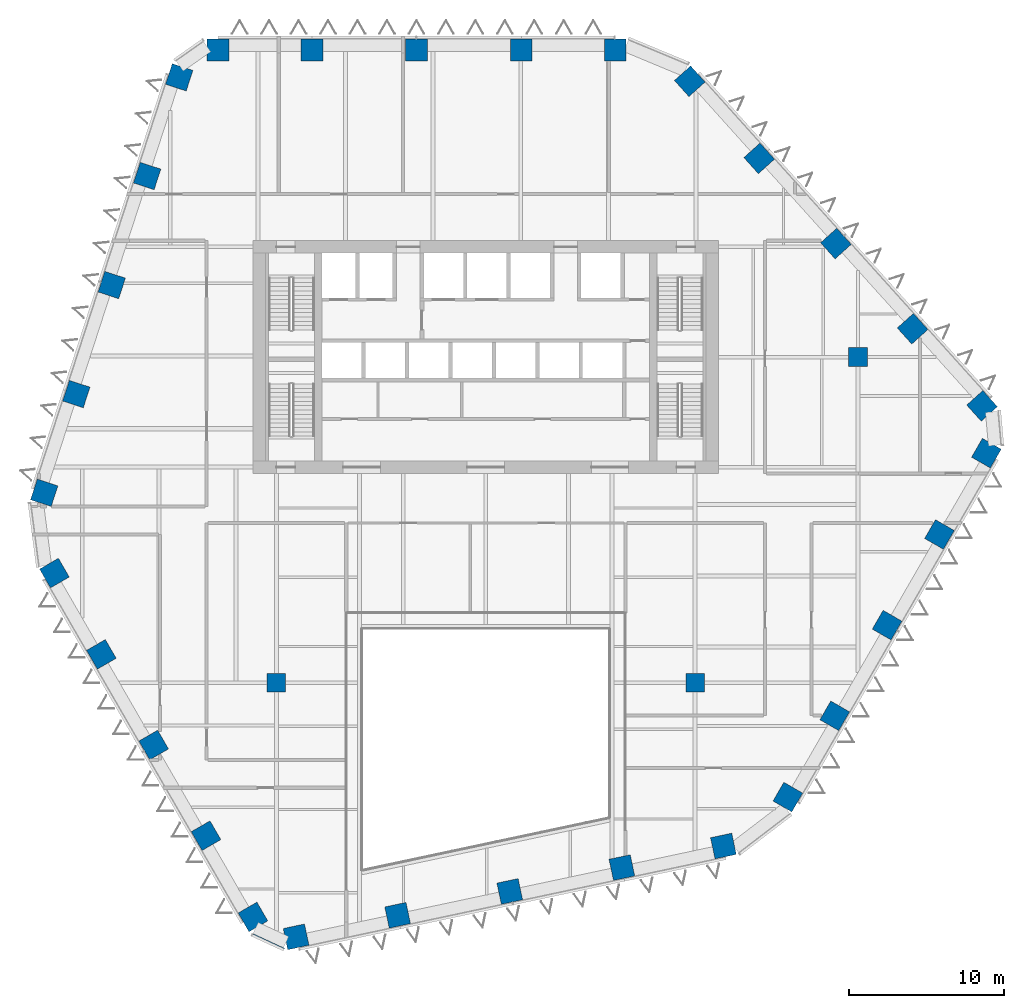
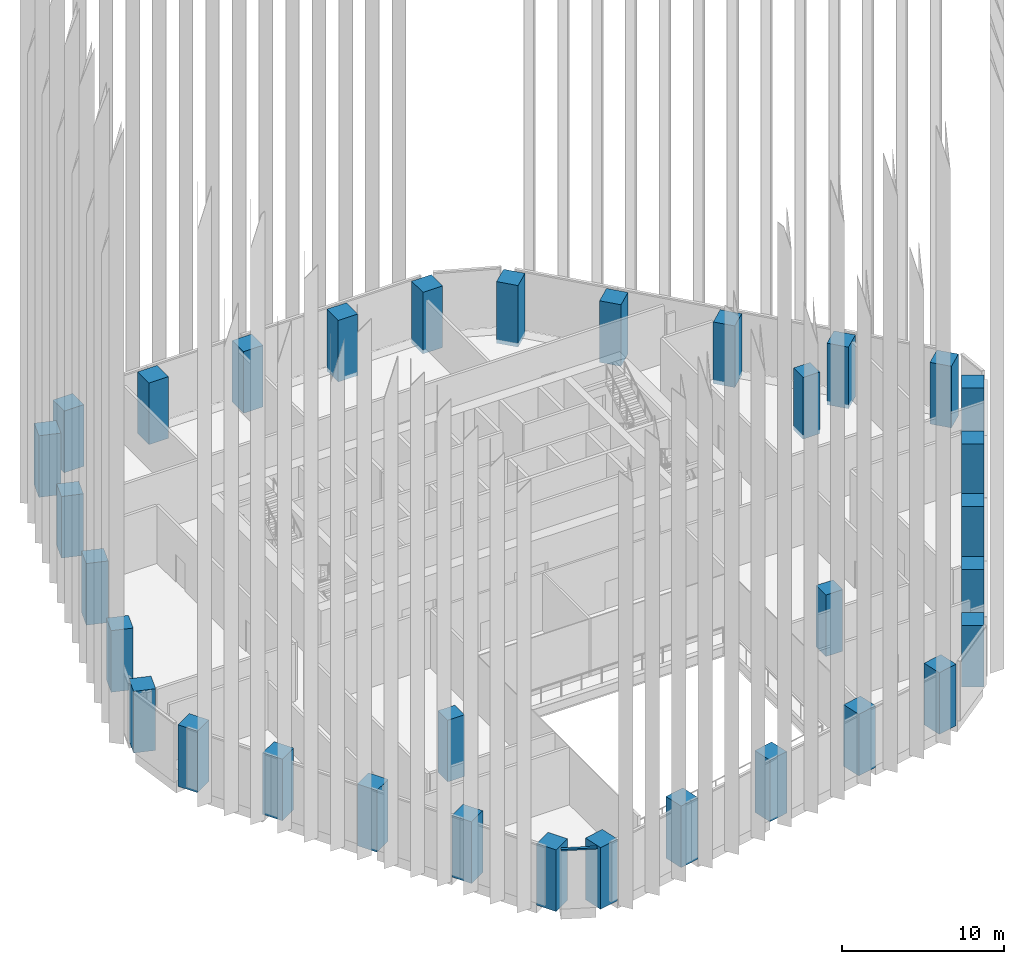
# One storey, part 1 of 18: 33 columns, 1 member, 1 element without a shape of its own.
"""IFC4 building model written with IfcOpenShell, lengths in metres."""

from ifc_helpers import new_model, si_unit, direction, frame, origin, origin_2d, place, context, subcontext, project, spatial, rectangle, extrude, material, layer, layer_set, material_profile, profile_set, type_object, element, aggregate, save


model = new_model("IFC4")

# Units and contexts
model_context = context("Model", 3, precision=1e-05, world=origin(), true_north=direction((0.0, 1.0)))
body_context = subcontext(model_context, "Body", "Model", "MODEL_VIEW")
ifc_project = project(units=[si_unit("LENGTHUNIT", "METRE"), si_unit("AREAUNIT", "SQUARE_METRE"), si_unit("VOLUMEUNIT", "CUBIC_METRE"), si_unit("PLANEANGLEUNIT", "RADIAN"), si_unit("MASSUNIT", "GRAM", prefix="KILO")], contexts=[model_context])

# Site, building, storey
site_placement = place(None, origin())
site = spatial("IfcSite", under=ifc_project, at=site_placement, CompositionType="ELEMENT")
building_placement = place(site_placement, origin())
building = spatial("IfcBuilding", under=site, at=building_placement, Name="Isthmus Gate Tower", CompositionType="ELEMENT")
storey_placement = place(building_placement, frame((0.0, 0.0, 166.300048828125)))
storey = spatial("IfcBuildingStorey", under=building, at=storey_placement, Name="L41", CompositionType="ELEMENT", Elevation=166.300048828125)

# Columns
ifc_material_1 = material(Name="Concrete f'c 60 MPa", Category="concrete")
ifc_material_profile_1 = material_profile(ifc_material_1, rectangle(XDim=1.199951171875, YDim=1.199951171875, at=origin_2d()), Name="RC 1200X1200")
ifc_profile_set_1 = profile_set([ifc_material_profile_1], Name="Concrete f'c 60 MPa")
column_type_1 = type_object("IfcColumnType", Name="RC INTERIOR COLUMN 1200 X 1200", PredefinedType="COLUMN", material=ifc_profile_set_1)
for number, where, z_axis, x_axis, name in (
    (1, (-13.5, -13.5, -0.300048828125), (0.0, 0.0, 1.0), (1.0, 0.0, 0.0), "str-icol-L41-ICB2"),
    (2, (13.5, -13.5, -0.300048828125), (0.0, 0.0, 1.0), (1.0, 0.0, 0.0), "str-icol-L41-ICD2"),
    (3, (24.0, 7.5, -0.300048828125), (0.0, 0.0, 1.0), (1.0, 0.0, 0.0), "str-icol-L41-ICE3"),
):
    element("IfcColumn", number, at=place(storey_placement, frame(where, z_axis=z_axis, x_axis=x_axis)), inside=storey, type_object=column_type_1, Name=name, PredefinedType="COLUMN", context=body_context, shape_type="SweptSolid", body=[
        extrude(rectangle(XDim=1.199951171875, YDim=1.199951171875, at=origin_2d()), origin(), (0.0, 0.0, 1.0), 4.64990234375),
    ])
ifc_material_2 = material(Name="Concrete f'c 60 MPa", Category="concrete")
ifc_material_profile_2 = material_profile(ifc_material_2, rectangle(XDim=1.39990234375, YDim=1.39990234375, at=origin_2d()), Name="RC 1400X1400")
ifc_profile_set_2 = profile_set([ifc_material_profile_2], Name="Concrete f'c 60 MPa")
column_type_2 = type_object("IfcColumnType", Name="RC TUBE COLUMN 1400 X 1400", PredefinedType="COLUMN", material=ifc_profile_set_2)
for number, where, z_axis, x_axis, name in (
    (4, (8.338623046875, 27.300048828125, -0.300048828125), (0.0, 0.0, 1.0), (-1.0, 0.0, 0.0), "str-tcol-L41-T2N0"),
    (5, (2.288330078125, 27.300048828125, -0.300048828125), (0.0, 0.0, 1.0), (-1.0, 0.0, 0.0), "str-tcol-L41-T2N1"),
    (6, (-4.461669921875, 27.300048828125, -0.300048828125), (0.0, 0.0, 1.0), (-1.0, 0.0, 0.0), "str-tcol-L41-T2N2"),
    (7, (-11.2119140625, 27.300048828125, -0.300048828125), (0.0, 0.0, 1.0), (-1.0, 0.0, 0.0), "str-tcol-L41-T2N3"),
    (8, (-17.261962890625, 27.300048828125, -0.300048828125), (0.0, 0.0, 1.0), (-1.0, 0.0, 0.0), "str-tcol-L41-T2N4"),
    (9, (-19.765380859375, 25.532958984375, -0.300048828125), (0.0, 0.0, 1.0), (-0.309016994375, -0.951056516295, 0.0), "str-tcol-L41-T2NW0"),
    (10, (-21.8330078125, 19.169677734375, -0.300048828125), (0.0, 0.0, 1.0), (-0.309016994375, -0.951056516295, 0.0), "str-tcol-L41-T2NW1"),
    (11, (-24.116943359375, 12.140625, -0.300048828125), (0.0, 0.0, 1.0), (-0.309016994375, -0.951056516295, 0.0), "str-tcol-L41-T2NW2"),
    (12, (-26.400634765625, 5.111328125, -0.300048828125), (0.0, 0.0, 1.0), (-0.309016994375, -0.951056516295, 0.0), "str-tcol-L41-T2NW3"),
    (13, (-28.46826171875, -1.251953125, -0.300048828125), (0.0, 0.0, 1.0), (-0.309016994375, -0.951056516295, 0.0), "str-tcol-L41-T2NW4"),
    (14, (-27.811767578125, -6.4287109375, -0.300048828125), (0.0, 0.0, 1.0), (0.5, -0.866025403784, 0.0), "str-tcol-L41-T2SW0"),
    (15, (-24.78662109375, -11.668212890625, -0.300048828125), (0.0, 0.0, 1.0), (0.5, -0.866025403784, 0.0), "str-tcol-L41-T2SW1"),
    (16, (-21.41162109375, -17.513916015625, -0.300048828125), (0.0, 0.0, 1.0), (0.5, -0.866025403784, 0.0), "str-tcol-L41-T2SW2"),
    (17, (-18.03662109375, -23.359619140625, -0.300048828125), (0.0, 0.0, 1.0), (0.5, -0.866025403784, 0.0), "str-tcol-L41-T2SW3"),
    (18, (-15.011474609375, -28.599365234375, -0.300048828125), (0.0, 0.0, 1.0), (0.5, -0.866025403784, 0.0), "str-tcol-L41-T2SW4"),
    (19, (-12.2294921875, -29.8837890625, -0.300048828125), (0.0, 0.0, 1.0), (0.978147600734, 0.207911690818, 0.0), "str-tcol-L41-T2S0"),
    (20, (-5.684814453125, -28.49267578125, -0.300048828125), (0.0, 0.0, 1.0), (0.978147600734, 0.207911690818, 0.0), "str-tcol-L41-T2S1"),
    (21, (1.54443359375, -26.9560546875, -0.300048828125), (0.0, 0.0, 1.0), (0.978147600734, 0.207911690818, 0.0), "str-tcol-L41-T2S2"),
    (22, (8.773681640625, -25.41943359375, -0.300048828125), (0.0, 0.0, 1.0), (0.978147600734, 0.207911690818, 0.0), "str-tcol-L41-T2S3"),
    (23, (15.318359375, -24.0283203125, -0.300048828125), (0.0, 0.0, 1.0), (0.978147600734, 0.207911690818, 0.0), "str-tcol-L41-T2S4"),
    (24, (19.47314453125, -20.871337890625, -0.300048828125), (0.0, 0.0, 1.0), (0.5, 0.866025403784, 0.0), "str-tcol-L41-T2SE0"),
    (25, (22.498291015625, -15.6318359375, -0.300048828125), (0.0, 0.0, 1.0), (0.5, 0.866025403784, 0.0), "str-tcol-L41-T2SE1"),
    (26, (25.873291015625, -9.7861328125, -0.300048828125), (0.0, 0.0, 1.0), (0.5, 0.866025403784, 0.0), "str-tcol-L41-T2SE2"),
    (27, (29.248291015625, -3.940185546875, -0.300048828125), (0.0, 0.0, 1.0), (0.5, 0.866025403784, 0.0), "str-tcol-L41-T2SE3"),
    (28, (32.2734375, 1.29931640625, -0.300048828125), (0.0, 0.0, 1.0), (0.5, 0.866025403784, 0.0), "str-tcol-L41-T2SE4"),
    (29, (31.994873046875, 4.350830078125, -0.300048828125), (0.0, 0.0, 1.0), (-0.669130606359, 0.743144825477, 0.0), "str-tcol-L41-T2NE0"),
    (30, (27.517822265625, 9.3232421875, -0.300048828125), (0.0, 0.0, 1.0), (-0.669130606359, 0.743144825477, 0.0), "str-tcol-L41-T2NE1"),
    (31, (22.572509765625, 14.815673828125, -0.300048828125), (0.0, 0.0, 1.0), (-0.669130606359, 0.743144825477, 0.0), "str-tcol-L41-T2NE2"),
    (32, (17.626953125, 20.30810546875, -0.300048828125), (0.0, 0.0, 1.0), (-0.669130606359, 0.743144825477, 0.0), "str-tcol-L41-T2NE3"),
    (33, (13.14990234375, 25.2802734375, -0.300048828125), (0.0, 0.0, 1.0), (-0.669130606359, 0.743144825477, 0.0), "str-tcol-L41-T2NE4"),
):
    element("IfcColumn", number, at=place(storey_placement, frame(where, z_axis=z_axis, x_axis=x_axis)), inside=storey, type_object=column_type_2, Name=name, PredefinedType="COLUMN", context=body_context, shape_type="SweptSolid", body=[
        extrude(rectangle(XDim=1.39990234375, YDim=1.39990234375, at=origin_2d()), origin(), (0.0, 0.0, 1.0), 4.64990234375),
    ])

# Curtain wall, member
ifc_material_3 = material(Name="Aluminium, pale champagne anodised", Category="aluminium")
ifc_layer = layer(ifc_material_3, 0.199951171875)
ifc_layer_set = layer_set([ifc_layer], Name="CW-2 LOUVRE CURTAIN WALL 200 DEEP")
curtain_wall_type = type_object("IfcCurtainWallType", Name="CW-2 LOUVRE CURTAIN WALL 200 DEEP", PredefinedType="NOTDEFINED", material=ifc_layer_set)
curtain_wall_placement = place(storey_placement, origin())
curtain_wall = element("IfcCurtainWall", 34, at=curtain_wall_placement, inside=storey, type_object=curtain_wall_type, Name="CW-2 SW-S L41", PredefinedType="NOTDEFINED")
ifc_material_4 = material(Name="Aluminium, pale champagne anodised", Category="aluminium")
ifc_material_profile_3 = material_profile(ifc_material_4, rectangle(XDim=0.199951171875, YDim=0.110107421875, at=origin_2d()), Name="200x110")
ifc_profile_set_3 = profile_set([ifc_material_profile_3], Name="Aluminium, pale champagne anodised")
member_type = type_object("IfcMemberType", Name="CW-2 TRANSOM 200 X 110", PredefinedType="USERDEFINED", material=ifc_profile_set_3)
member_placement = place(storey_placement, frame((-15.06396484375, -29.76025390625, 4.445068359375), z_axis=(0.907246225564, -0.420599912268, 0.0), x_axis=(0.420599912268, 0.907246225564, 0.0)))
member = element("IfcMember", 35, at=member_placement, type_object=member_type, Name="CW-2 transom", ObjectType="TRANSOM", PredefinedType="USERDEFINED", context=body_context, shape_type="SweptSolid", body=[
    extrude(rectangle(XDim=0.199951171875, YDim=0.110107421875, at=origin_2d()), origin(), (0.0, 0.0, 1.0), 2.258544921875),
])
aggregate(curtain_wall, [member])

save(model, "model.ifc")
